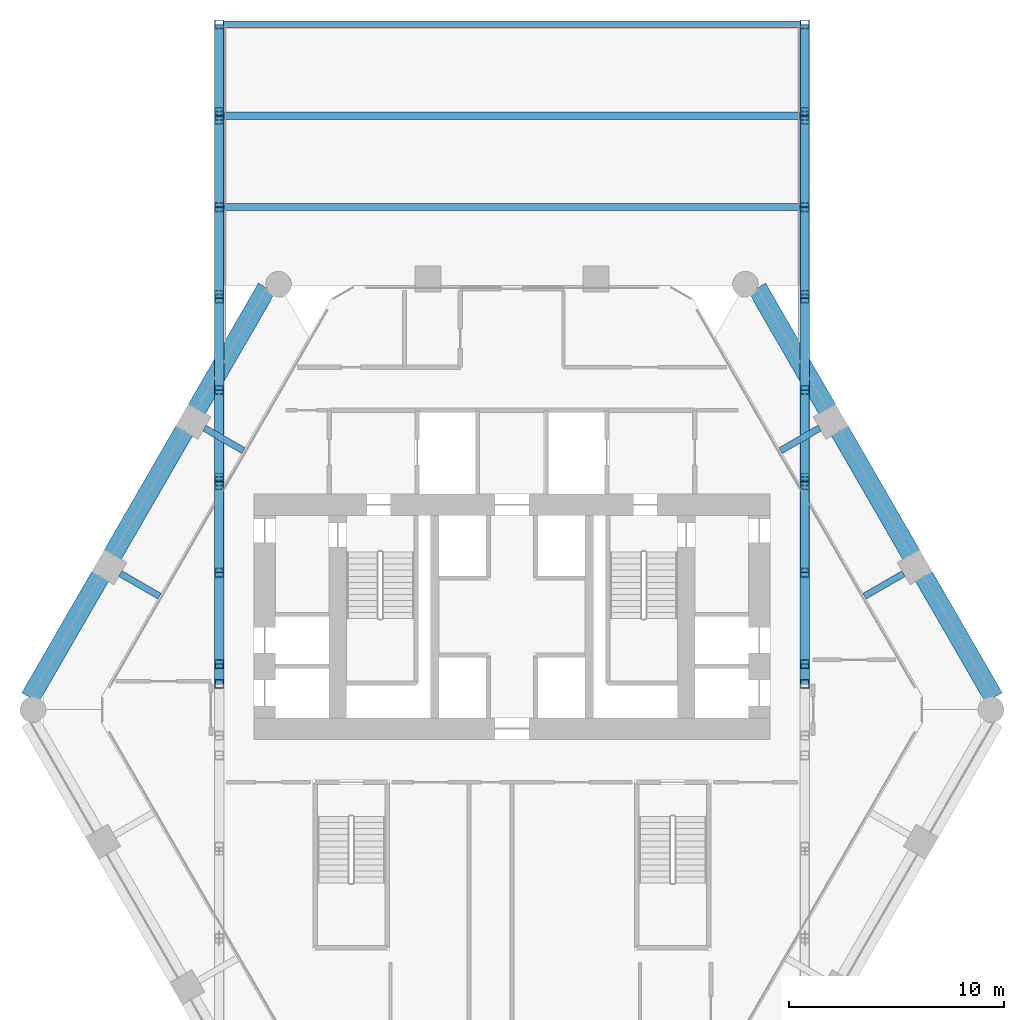
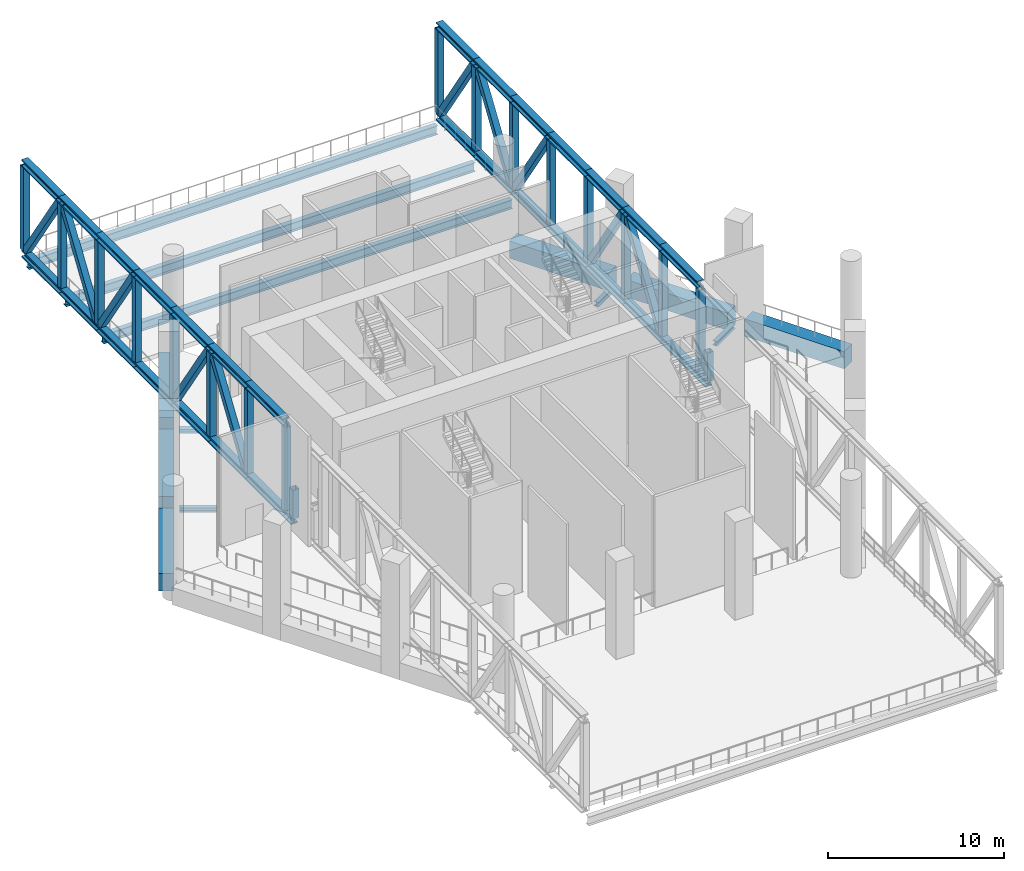
# One storey, part 3 of 16: 58 members, 13 beams.
"""IFC4 building model written with IfcOpenShell, lengths in metres."""

from ifc_helpers import new_model, si_unit, direction, frame, origin, origin_2d, place, context, subcontext, project, spatial, rectangle, hollow_rectangle, i_section, extrude, material, material_profile, profile_set, type_object, element, save


model = new_model("IFC4")

# Units and contexts
model_context = context("Model", 3, precision=1e-05, world=origin(), true_north=direction((0.0, 1.0)))
body_context = subcontext(model_context, "Body", "Model", "MODEL_VIEW")
ifc_project = project(units=[si_unit("LENGTHUNIT", "METRE"), si_unit("AREAUNIT", "SQUARE_METRE"), si_unit("VOLUMEUNIT", "CUBIC_METRE"), si_unit("PLANEANGLEUNIT", "RADIAN"), si_unit("MASSUNIT", "GRAM", prefix="KILO")], contexts=[model_context])

# Site, building, storey
site_placement = place(None, origin())
site = spatial("IfcSite", under=ifc_project, at=site_placement, CompositionType="ELEMENT")
building_placement = place(site_placement, origin())
building = spatial("IfcBuilding", under=site, at=building_placement, Name="Ostrander Bayou Hotel Tower", CompositionType="ELEMENT")
storey_placement = place(building_placement, frame((0.0, 0.0, 108.0)))
storey = spatial("IfcBuildingStorey", under=building, at=storey_placement, Name="L27", CompositionType="ELEMENT", Elevation=108.0)

# Beams
ifc_material_1 = material(Name="Steel ASTM A992", Category="steel")
ifc_material_profile_1 = material_profile(ifc_material_1, i_section(OverallWidth=0.3046875, OverallDepth=0.307861328125, WebThickness=0.010009765625, FlangeThickness=0.015380859375, at=origin_2d()))
ifc_profile_set_1 = profile_set([ifc_material_profile_1], Name="Steel ASTM A992")
beam_type_1 = type_object("IfcBeamType", Name="LB1 loggia bracket W12x65", PredefinedType="BEAM", material=ifc_profile_set_1)
for number, where, z_axis, x_axis, name in (
    (1, (-14.30419921875, 12.769775390625, -0.453857421875), (0.866009402589, -0.500027713859, 0.0), (0.500027713859, 0.866009402589, 0.0), "LB1 L27 NW1"),
    (2, (-18.2109375, 6.0029296875, -0.453857421875), (0.866009402589, -0.500027713859, 0.0), (0.500027713859, 0.866009402589, 0.0), "LB1 L27 NW2"),
    (3, (18.2109375, 6.0029296875, -0.453857421875), (-0.866009402589, -0.500027713859, 0.0), (0.500027713859, -0.866009402589, 0.0), "LB1 L27 NE1"),
    (4, (14.30419921875, 12.769775390625, -0.453857421875), (-0.866009402589, -0.500027713859, 0.0), (0.500027713859, -0.866009402589, 0.0), "LB1 L27 NE2"),
):
    element("IfcBeam", number, at=place(storey_placement, frame(where, z_axis=z_axis, x_axis=x_axis)), inside=storey, type_object=beam_type_1, Name=name, PredefinedType="BEAM", context=body_context, shape_type="SweptSolid", body=[
        extrude(i_section(OverallWidth=0.3046875, OverallDepth=0.307861328125, WebThickness=0.010009765625, FlangeThickness=0.015380859375, at=origin_2d()), origin(), (0.0, 0.0, 1.0), 2.10009765625),
    ])
ifc_material_2 = material(Name="Concrete f'c 70 MPa", Category="concrete")
ifc_material_profile_2 = material_profile(ifc_material_2, rectangle(XDim=0.89990234375, YDim=1.199951171875, at=origin_2d()))
ifc_profile_set_2 = profile_set([ifc_material_profile_2], Name="Concrete f'c 70 MPa")
beam_type_2 = type_object("IfcBeamType", Name="SP2 spandrel beam 900 x 1200 mm f'c 70 MPa", PredefinedType="SPANDREL", material=ifc_profile_set_2)
beam_1_placement = place(storey_placement, frame((-11.407958984375, 19.286376953125, -0.60009765625), z_axis=(-0.499971966783, -0.866041588165, 0.0), x_axis=(0.866041588165, -0.499971966783, 0.0)))
element("IfcBeam", 5, at=beam_1_placement, inside=storey, type_object=beam_type_2, Name="SP2 L27 NW-1", PredefinedType="SPANDREL", context=body_context, shape_type="SweptSolid", body=[
    extrude(rectangle(XDim=0.89990234375, YDim=1.199951171875, at=origin_2d()), origin(), (0.0, 0.0, 1.0), 6.521728515625),
])
beam_2_placement = place(storey_placement, frame((-15.23876953125, 12.65087890625, -0.60009765625), z_axis=(-0.499999023957, -0.866025967302, 0.0), x_axis=(0.866025967302, -0.499999023957, 0.0)))
element("IfcBeam", 6, at=beam_2_placement, inside=storey, type_object=beam_type_2, Name="SP2 L27 NW-2", PredefinedType="SPANDREL", context=body_context, shape_type="SweptSolid", body=[
    extrude(rectangle(XDim=0.89990234375, YDim=1.199951171875, at=origin_2d()), origin(), (0.0, 0.0, 1.0), 6.67333984375),
])
for number, where, z_axis, x_axis, name in (
    (7, (-19.1455078125, 5.884521484375, -0.60009765625), (-0.500000042739, -0.866025379109, 0.0), (0.866025379109, -0.500000042739, 0.0), "SP2 L27 NW-3"),
    (8, (22.406494140625, 0.236328125, -0.60009765625), (-0.500000042739, 0.866025379109, 0.0), (-0.866025379109, -0.500000042739, 0.0), "SP2 L27 NE-1"),
):
    element("IfcBeam", number, at=place(storey_placement, frame(where, z_axis=z_axis, x_axis=x_axis)), inside=storey, type_object=beam_type_2, Name=name, PredefinedType="SPANDREL", context=body_context, shape_type="SweptSolid", body=[
        extrude(rectangle(XDim=0.89990234375, YDim=1.199951171875, at=origin_2d()), origin(), (0.0, 0.0, 1.0), 6.52197265625),
    ])
beam_3_placement = place(storey_placement, frame((18.575439453125, 6.87158203125, -0.60009765625), z_axis=(-0.499999023957, 0.866025967302, 0.0), x_axis=(-0.866025967302, -0.499999023957, 0.0)))
element("IfcBeam", 9, at=beam_3_placement, inside=storey, type_object=beam_type_2, Name="SP2 L27 NE-2", PredefinedType="SPANDREL", context=body_context, shape_type="SweptSolid", body=[
    extrude(rectangle(XDim=0.89990234375, YDim=1.199951171875, at=origin_2d()), origin(), (0.0, 0.0, 1.0), 6.67333984375),
])
beam_4_placement = place(storey_placement, frame((14.668701171875, 13.63818359375, -0.60009765625), z_axis=(-0.499971966783, 0.866041588165, 0.0), x_axis=(-0.866041588165, -0.499971966783, 0.0)))
element("IfcBeam", 10, at=beam_4_placement, inside=storey, type_object=beam_type_2, Name="SP2 L27 NE-3", PredefinedType="SPANDREL", context=body_context, shape_type="SweptSolid", body=[
    extrude(rectangle(XDim=0.89990234375, YDim=1.199951171875, at=origin_2d()), origin(), (0.0, 0.0, 1.0), 6.521728515625),
])
ifc_material_3 = material(Name="Steel ASTM A992", Category="steel")
ifc_material_profile_3 = material_profile(ifc_material_3, i_section(OverallWidth=0.32763671875, OverallDepth=0.621826171875, WebThickness=0.015380859375, FlangeThickness=0.0244140625, at=origin_2d()))
ifc_profile_set_3 = profile_set([ifc_material_profile_3], Name="Steel ASTM A992")
beam_type_3 = type_object("IfcBeamType", Name="TF1 bar floor beam W24x131", PredefinedType="BEAM", material=ifc_profile_set_3)
for number, where, z_axis, x_axis, name in (
    (11, (-13.442138671875, 31.54541015625, -0.61083984375), (1.0, 0.0, 0.0), (0.0, 1.0, 0.0), "TF1 SB2W L5-1"),
    (12, (-13.442138671875, 27.295654296875, -0.61083984375), (1.0, 0.0, 0.0), (0.0, 1.0, 0.0), "TF1 SB2W L5-2"),
    (13, (-13.442138671875, 23.0458984375, -0.61083984375), (1.0, 0.0, 0.0), (0.0, 1.0, 0.0), "TF1 SB2W L5-3"),
):
    element("IfcBeam", number, at=place(storey_placement, frame(where, z_axis=z_axis, x_axis=x_axis)), inside=storey, type_object=beam_type_3, Name=name, PredefinedType="BEAM", context=body_context, shape_type="SweptSolid", body=[
        extrude(i_section(OverallWidth=0.32763671875, OverallDepth=0.621826171875, WebThickness=0.015380859375, FlangeThickness=0.0244140625, at=origin_2d()), origin(), (0.0, 0.0, 1.0), 26.88427734375),
    ])

# Members
ifc_material_4 = material(Name="Steel ASTM A992", Category="steel")
ifc_material_profile_4 = material_profile(ifc_material_4, i_section(OverallWidth=0.43212890625, OverallDepth=0.497802734375, WebThickness=0.0556640625, FlangeThickness=0.0888671875, at=origin_2d()))
ifc_profile_set_4 = profile_set([ifc_material_profile_4], Name="Steel ASTM A992")
member_type_1 = type_object("IfcMemberType", Name="TT1 through-truss chord W14x500", PredefinedType="CHORD", material=ifc_profile_set_4)
for number, where, z_axis, x_axis, name in (
    (14, (-13.6201171875, 31.54541015625, 0.248779296875), (0.0, -1.0, 0.0), (1.0, 0.0, 0.0), "TT1 SB2A B1"),
    (15, (-13.6201171875, 31.54541015625, 6.551025390625), (0.0, -1.0, 0.0), (1.0, 0.0, 0.0), "TT1 SB2A T1"),
    (16, (-13.6201171875, 27.295654296875, 0.248779296875), (0.0, -1.0, 0.0), (1.0, 0.0, 0.0), "TT1 SB2A B2"),
    (17, (-13.6201171875, 27.295654296875, 6.551025390625), (0.0, -1.0, 0.0), (1.0, 0.0, 0.0), "TT1 SB2A T2"),
):
    element("IfcMember", number, at=place(storey_placement, frame(where, z_axis=z_axis, x_axis=x_axis)), inside=storey, type_object=member_type_1, Name=name, PredefinedType="CHORD", context=body_context, shape_type="SweptSolid", body=[
        extrude(i_section(OverallWidth=0.43212890625, OverallDepth=0.497802734375, WebThickness=0.0556640625, FlangeThickness=0.0888671875, at=origin_2d()), origin(), (0.0, 0.0, 1.0), 4.249755859375),
    ])
for number, where, z_axis, x_axis, name in (
    (18, (-13.6201171875, 23.0458984375, 0.248779296875), (0.0, -1.0, 0.0), (1.0, 0.0, 0.0), "TT1 SB2A B3"),
    (19, (-13.6201171875, 23.0458984375, 6.551025390625), (0.0, -1.0, 0.0), (1.0, 0.0, 0.0), "TT1 SB2A T3"),
):
    element("IfcMember", number, at=place(storey_placement, frame(where, z_axis=z_axis, x_axis=x_axis)), inside=storey, type_object=member_type_1, Name=name, PredefinedType="CHORD", context=body_context, shape_type="SweptSolid", body=[
        extrude(i_section(OverallWidth=0.43212890625, OverallDepth=0.497802734375, WebThickness=0.0556640625, FlangeThickness=0.0888671875, at=origin_2d()), origin(), (0.0, 0.0, 1.0), 4.24951171875),
    ])
for number, where, z_axis, x_axis, name in (
    (20, (-13.6201171875, 18.79638671875, 0.248779296875), (0.0, -1.0, 0.0), (1.0, 0.0, 0.0), "TT1 SB2A B4"),
    (21, (-13.6201171875, 18.79638671875, 6.551025390625), (0.0, -1.0, 0.0), (1.0, 0.0, 0.0), "TT1 SB2A T4"),
    (22, (-13.6201171875, 14.546630859375, 0.248779296875), (0.0, -1.0, 0.0), (1.0, 0.0, 0.0), "TT1 SB2A B5"),
    (23, (-13.6201171875, 14.546630859375, 6.551025390625), (0.0, -1.0, 0.0), (1.0, 0.0, 0.0), "TT1 SB2A T5"),
    (24, (-13.6201171875, 10.296875, 0.248779296875), (0.0, -1.0, 0.0), (1.0, 0.0, 0.0), "TT1 SB2A B6"),
    (25, (-13.6201171875, 10.296875, 6.551025390625), (0.0, -1.0, 0.0), (1.0, 0.0, 0.0), "TT1 SB2A T6"),
):
    element("IfcMember", number, at=place(storey_placement, frame(where, z_axis=z_axis, x_axis=x_axis)), inside=storey, type_object=member_type_1, Name=name, PredefinedType="CHORD", context=body_context, shape_type="SweptSolid", body=[
        extrude(i_section(OverallWidth=0.43212890625, OverallDepth=0.497802734375, WebThickness=0.0556640625, FlangeThickness=0.0888671875, at=origin_2d()), origin(), (0.0, 0.0, 1.0), 4.249755859375),
    ])
for number, where, z_axis, x_axis, name in (
    (26, (-13.6201171875, 6.047119140625, 0.248779296875), (0.0, -1.0, 0.0), (1.0, 0.0, 0.0), "TT1 SB2A B7"),
    (27, (-13.6201171875, 6.047119140625, 6.551025390625), (0.0, -1.0, 0.0), (1.0, 0.0, 0.0), "TT1 SB2A T7"),
):
    element("IfcMember", number, at=place(storey_placement, frame(where, z_axis=z_axis, x_axis=x_axis)), inside=storey, type_object=member_type_1, Name=name, PredefinedType="CHORD", context=body_context, shape_type="SweptSolid", body=[
        extrude(i_section(OverallWidth=0.43212890625, OverallDepth=0.497802734375, WebThickness=0.0556640625, FlangeThickness=0.0888671875, at=origin_2d()), origin(), (0.0, 0.0, 1.0), 4.24951171875),
    ])
member_1_placement = place(storey_placement, frame((-13.6201171875, 1.797607421875, 0.248779296875), z_axis=(0.0, -1.0, 0.0), x_axis=(1.0, 0.0, 0.0)))
element("IfcMember", 28, at=member_1_placement, inside=storey, type_object=member_type_1, Name="TT1 SB2A B8", PredefinedType="CHORD", context=body_context, shape_type="SweptSolid", body=[
    extrude(i_section(OverallWidth=0.43212890625, OverallDepth=0.497802734375, WebThickness=0.0556640625, FlangeThickness=0.0888671875, at=origin_2d()), origin(), (0.0, 0.0, 1.0), 0.9248046875),
])
for number, where, z_axis, x_axis, name in (
    (29, (13.6201171875, 31.54541015625, 0.248779296875), (0.0, -1.0, 0.0), (1.0, 0.0, 0.0), "TT1 SB2B B1"),
    (30, (13.6201171875, 31.54541015625, 6.551025390625), (0.0, -1.0, 0.0), (1.0, 0.0, 0.0), "TT1 SB2B T1"),
    (31, (13.6201171875, 27.295654296875, 0.248779296875), (0.0, -1.0, 0.0), (1.0, 0.0, 0.0), "TT1 SB2B B2"),
    (32, (13.6201171875, 27.295654296875, 6.551025390625), (0.0, -1.0, 0.0), (1.0, 0.0, 0.0), "TT1 SB2B T2"),
):
    element("IfcMember", number, at=place(storey_placement, frame(where, z_axis=z_axis, x_axis=x_axis)), inside=storey, type_object=member_type_1, Name=name, PredefinedType="CHORD", context=body_context, shape_type="SweptSolid", body=[
        extrude(i_section(OverallWidth=0.43212890625, OverallDepth=0.497802734375, WebThickness=0.0556640625, FlangeThickness=0.0888671875, at=origin_2d()), origin(), (0.0, 0.0, 1.0), 4.249755859375),
    ])
for number, where, z_axis, x_axis, name in (
    (33, (13.6201171875, 23.0458984375, 0.248779296875), (0.0, -1.0, 0.0), (1.0, 0.0, 0.0), "TT1 SB2B B3"),
    (34, (13.6201171875, 23.0458984375, 6.551025390625), (0.0, -1.0, 0.0), (1.0, 0.0, 0.0), "TT1 SB2B T3"),
):
    element("IfcMember", number, at=place(storey_placement, frame(where, z_axis=z_axis, x_axis=x_axis)), inside=storey, type_object=member_type_1, Name=name, PredefinedType="CHORD", context=body_context, shape_type="SweptSolid", body=[
        extrude(i_section(OverallWidth=0.43212890625, OverallDepth=0.497802734375, WebThickness=0.0556640625, FlangeThickness=0.0888671875, at=origin_2d()), origin(), (0.0, 0.0, 1.0), 4.24951171875),
    ])
for number, where, z_axis, x_axis, name in (
    (35, (13.6201171875, 18.79638671875, 0.248779296875), (0.0, -1.0, 0.0), (1.0, 0.0, 0.0), "TT1 SB2B B4"),
    (36, (13.6201171875, 18.79638671875, 6.551025390625), (0.0, -1.0, 0.0), (1.0, 0.0, 0.0), "TT1 SB2B T4"),
    (37, (13.6201171875, 14.546630859375, 0.248779296875), (0.0, -1.0, 0.0), (1.0, 0.0, 0.0), "TT1 SB2B B5"),
    (38, (13.6201171875, 14.546630859375, 6.551025390625), (0.0, -1.0, 0.0), (1.0, 0.0, 0.0), "TT1 SB2B T5"),
    (39, (13.6201171875, 10.296875, 0.248779296875), (0.0, -1.0, 0.0), (1.0, 0.0, 0.0), "TT1 SB2B B6"),
    (40, (13.6201171875, 10.296875, 6.551025390625), (0.0, -1.0, 0.0), (1.0, 0.0, 0.0), "TT1 SB2B T6"),
):
    element("IfcMember", number, at=place(storey_placement, frame(where, z_axis=z_axis, x_axis=x_axis)), inside=storey, type_object=member_type_1, Name=name, PredefinedType="CHORD", context=body_context, shape_type="SweptSolid", body=[
        extrude(i_section(OverallWidth=0.43212890625, OverallDepth=0.497802734375, WebThickness=0.0556640625, FlangeThickness=0.0888671875, at=origin_2d()), origin(), (0.0, 0.0, 1.0), 4.249755859375),
    ])
for number, where, z_axis, x_axis, name in (
    (41, (13.6201171875, 6.047119140625, 0.248779296875), (0.0, -1.0, 0.0), (1.0, 0.0, 0.0), "TT1 SB2B B7"),
    (42, (13.6201171875, 6.047119140625, 6.551025390625), (0.0, -1.0, 0.0), (1.0, 0.0, 0.0), "TT1 SB2B T7"),
):
    element("IfcMember", number, at=place(storey_placement, frame(where, z_axis=z_axis, x_axis=x_axis)), inside=storey, type_object=member_type_1, Name=name, PredefinedType="CHORD", context=body_context, shape_type="SweptSolid", body=[
        extrude(i_section(OverallWidth=0.43212890625, OverallDepth=0.497802734375, WebThickness=0.0556640625, FlangeThickness=0.0888671875, at=origin_2d()), origin(), (0.0, 0.0, 1.0), 4.24951171875),
    ])
member_2_placement = place(storey_placement, frame((13.6201171875, 1.797607421875, 0.248779296875), z_axis=(0.0, -1.0, 0.0), x_axis=(1.0, 0.0, 0.0)))
element("IfcMember", 43, at=member_2_placement, inside=storey, type_object=member_type_1, Name="TT1 SB2B B8", PredefinedType="CHORD", context=body_context, shape_type="SweptSolid", body=[
    extrude(i_section(OverallWidth=0.43212890625, OverallDepth=0.497802734375, WebThickness=0.0556640625, FlangeThickness=0.0888671875, at=origin_2d()), origin(), (0.0, 0.0, 1.0), 0.9248046875),
])
ifc_material_5 = material(Name="Steel ASTM A572 Gr 50", Category="steel")
ifc_material_profile_5 = material_profile(ifc_material_5, hollow_rectangle(XDim=0.406494140625, YDim=0.406494140625, WallThickness=0.017822265625, at=origin_2d()))
ifc_profile_set_5 = profile_set([ifc_material_profile_5], Name="Steel ASTM A572 Gr 50")
member_type_2 = type_object("IfcMemberType", Name="TT3 through-truss diagonal box 16 x 16 x 3/4", PredefinedType="BRACE", material=ifc_profile_set_5)
member_3_placement = place(storey_placement, frame((-13.6201171875, 31.34228515625, 0.497802734375), z_axis=(0.0, -0.552099649482, 0.833778134183), x_axis=(1.0, 0.0, 0.0)))
element("IfcMember", 44, at=member_3_placement, inside=storey, type_object=member_type_2, Name="TT3 SB2A D1", PredefinedType="BRACE", context=body_context, shape_type="SweptSolid", body=[
    extrude(hollow_rectangle(XDim=0.406494140625, YDim=0.406494140625, WallThickness=0.017822265625, at=origin_2d()), origin(), (0.0, 0.0, 1.0), 6.961669921875),
])
for number, where, z_axis, x_axis, name in (
    (45, (-13.6201171875, 23.249267578125, 0.497802734375), (0.0, 0.552075268927, 0.833794277648), (-1.0, 0.0, 0.0), "TT3 SB2A D2"),
    (46, (-13.6201171875, 22.8427734375, 0.497802734375), (0.0, -0.552075268927, 0.833794277648), (1.0, 0.0, 0.0), "TT3 SB2A D3"),
):
    element("IfcMember", number, at=place(storey_placement, frame(where, z_axis=z_axis, x_axis=x_axis)), inside=storey, type_object=member_type_2, Name=name, PredefinedType="BRACE", context=body_context, shape_type="SweptSolid", body=[
        extrude(hollow_rectangle(XDim=0.406494140625, YDim=0.406494140625, WallThickness=0.017822265625, at=origin_2d()), origin(), (0.0, 0.0, 1.0), 6.96142578125),
    ])
member_4_placement = place(storey_placement, frame((-13.6201171875, 14.343505859375, 0.497802734375), z_axis=(0.0, -0.552099649482, 0.833778134183), x_axis=(1.0, 0.0, 0.0)))
element("IfcMember", 47, at=member_4_placement, inside=storey, type_object=member_type_2, Name="TT3 SB2A D5", PredefinedType="BRACE", context=body_context, shape_type="SweptSolid", body=[
    extrude(hollow_rectangle(XDim=0.406494140625, YDim=0.406494140625, WallThickness=0.017822265625, at=origin_2d()), origin(), (0.0, 0.0, 1.0), 6.961669921875),
])
member_5_placement = place(storey_placement, frame((-13.6201171875, 6.25048828125, 0.497802734375), z_axis=(0.0, 0.552075268927, 0.833794277648), x_axis=(-1.0, 0.0, 0.0)))
element("IfcMember", 48, at=member_5_placement, inside=storey, type_object=member_type_2, Name="TT3 SB2A D6", PredefinedType="BRACE", context=body_context, shape_type="SweptSolid", body=[
    extrude(hollow_rectangle(XDim=0.406494140625, YDim=0.406494140625, WallThickness=0.017822265625, at=origin_2d()), origin(), (0.0, 0.0, 1.0), 6.96142578125),
])
member_6_placement = place(storey_placement, frame((13.6201171875, 31.34228515625, 0.497802734375), z_axis=(0.0, -0.552099649482, 0.833778134183), x_axis=(1.0, 0.0, 0.0)))
element("IfcMember", 49, at=member_6_placement, inside=storey, type_object=member_type_2, Name="TT3 SB2B D1", PredefinedType="BRACE", context=body_context, shape_type="SweptSolid", body=[
    extrude(hollow_rectangle(XDim=0.406494140625, YDim=0.406494140625, WallThickness=0.017822265625, at=origin_2d()), origin(), (0.0, 0.0, 1.0), 6.961669921875),
])
for number, where, z_axis, x_axis, name in (
    (50, (13.6201171875, 23.249267578125, 0.497802734375), (0.0, 0.552075268927, 0.833794277648), (-1.0, 0.0, 0.0), "TT3 SB2B D2"),
    (51, (13.6201171875, 22.8427734375, 0.497802734375), (0.0, -0.552075268927, 0.833794277648), (1.0, 0.0, 0.0), "TT3 SB2B D3"),
):
    element("IfcMember", number, at=place(storey_placement, frame(where, z_axis=z_axis, x_axis=x_axis)), inside=storey, type_object=member_type_2, Name=name, PredefinedType="BRACE", context=body_context, shape_type="SweptSolid", body=[
        extrude(hollow_rectangle(XDim=0.406494140625, YDim=0.406494140625, WallThickness=0.017822265625, at=origin_2d()), origin(), (0.0, 0.0, 1.0), 6.96142578125),
    ])
member_7_placement = place(storey_placement, frame((13.6201171875, 14.343505859375, 0.497802734375), z_axis=(0.0, -0.552099649482, 0.833778134183), x_axis=(1.0, 0.0, 0.0)))
element("IfcMember", 52, at=member_7_placement, inside=storey, type_object=member_type_2, Name="TT3 SB2B D5", PredefinedType="BRACE", context=body_context, shape_type="SweptSolid", body=[
    extrude(hollow_rectangle(XDim=0.406494140625, YDim=0.406494140625, WallThickness=0.017822265625, at=origin_2d()), origin(), (0.0, 0.0, 1.0), 6.961669921875),
])
member_8_placement = place(storey_placement, frame((13.6201171875, 6.25048828125, 0.497802734375), z_axis=(0.0, 0.552075268927, 0.833794277648), x_axis=(-1.0, 0.0, 0.0)))
element("IfcMember", 53, at=member_8_placement, inside=storey, type_object=member_type_2, Name="TT3 SB2B D6", PredefinedType="BRACE", context=body_context, shape_type="SweptSolid", body=[
    extrude(hollow_rectangle(XDim=0.406494140625, YDim=0.406494140625, WallThickness=0.017822265625, at=origin_2d()), origin(), (0.0, 0.0, 1.0), 6.96142578125),
])
ifc_material_6 = material(Name="Steel ASTM A572 Gr 50", Category="steel")
ifc_material_profile_6 = material_profile(ifc_material_6, hollow_rectangle(XDim=0.406494140625, YDim=0.406494140625, WallThickness=0.017822265625, at=origin_2d()))
ifc_profile_set_6 = profile_set([ifc_material_profile_6], Name="Steel ASTM A572 Gr 50")
member_type_3 = type_object("IfcMemberType", Name="TT4 through-truss post box 16 x 16 x 3/4", PredefinedType="POST", material=ifc_profile_set_6)
for number, where, z_axis, x_axis, name in (
    (54, (-13.6201171875, 31.54541015625, 0.497802734375), (0.0, 0.0, 1.0), (1.0, 0.0, 0.0), "TT4 SB2A P1"),
    (55, (-13.6201171875, 27.295654296875, 0.497802734375), (0.0, 0.0, 1.0), (1.0, 0.0, 0.0), "TT4 SB2A P2"),
    (56, (-13.6201171875, 23.0458984375, 0.497802734375), (0.0, 0.0, 1.0), (1.0, 0.0, 0.0), "TT4 SB2A P3"),
    (57, (-13.6201171875, 18.79638671875, 0.497802734375), (0.0, 0.0, 1.0), (1.0, 0.0, 0.0), "TT4 SB2A P4"),
    (58, (-13.6201171875, 14.546630859375, 0.497802734375), (0.0, 0.0, 1.0), (1.0, 0.0, 0.0), "TT4 SB2A P5"),
    (59, (-13.6201171875, 10.296875, 0.497802734375), (0.0, 0.0, 1.0), (1.0, 0.0, 0.0), "TT4 SB2A P6"),
    (60, (-13.6201171875, 6.047119140625, 0.497802734375), (0.0, 0.0, 1.0), (1.0, 0.0, 0.0), "TT4 SB2A P7"),
    (61, (-13.6201171875, 1.797607421875, 0.497802734375), (0.0, 0.0, 1.0), (1.0, 0.0, 0.0), "TT4 SB2A P8"),
):
    element("IfcMember", number, at=place(storey_placement, frame(where, z_axis=z_axis, x_axis=x_axis)), inside=storey, type_object=member_type_3, Name=name, PredefinedType="POST", context=body_context, shape_type="SweptSolid", body=[
        extrude(hollow_rectangle(XDim=0.406494140625, YDim=0.406494140625, WallThickness=0.017822265625, at=origin_2d()), origin(), (0.0, 0.0, 1.0), 5.804443359375),
    ])
member_9_placement = place(storey_placement, frame((-13.6201171875, 0.872802734375, 0.497802734375), z_axis=(0.0, 0.0, 1.0), x_axis=(1.0, 0.0, 0.0)))
element("IfcMember", 62, at=member_9_placement, inside=storey, type_object=member_type_3, Name="TT4 SB2A KN8a", PredefinedType="POST", context=body_context, shape_type="SweptSolid", body=[
    extrude(hollow_rectangle(XDim=0.406494140625, YDim=0.406494140625, WallThickness=0.017822265625, at=origin_2d()), origin(), (0.0, 0.0, 1.0), 2.002197265625),
])
for number, where, z_axis, x_axis, name in (
    (63, (13.6201171875, 31.54541015625, 0.497802734375), (0.0, 0.0, 1.0), (1.0, 0.0, 0.0), "TT4 SB2B P1"),
    (64, (13.6201171875, 27.295654296875, 0.497802734375), (0.0, 0.0, 1.0), (1.0, 0.0, 0.0), "TT4 SB2B P2"),
    (65, (13.6201171875, 23.0458984375, 0.497802734375), (0.0, 0.0, 1.0), (1.0, 0.0, 0.0), "TT4 SB2B P3"),
    (66, (13.6201171875, 18.79638671875, 0.497802734375), (0.0, 0.0, 1.0), (1.0, 0.0, 0.0), "TT4 SB2B P4"),
    (67, (13.6201171875, 14.546630859375, 0.497802734375), (0.0, 0.0, 1.0), (1.0, 0.0, 0.0), "TT4 SB2B P5"),
    (68, (13.6201171875, 10.296875, 0.497802734375), (0.0, 0.0, 1.0), (1.0, 0.0, 0.0), "TT4 SB2B P6"),
    (69, (13.6201171875, 6.047119140625, 0.497802734375), (0.0, 0.0, 1.0), (1.0, 0.0, 0.0), "TT4 SB2B P7"),
    (70, (13.6201171875, 1.797607421875, 0.497802734375), (0.0, 0.0, 1.0), (1.0, 0.0, 0.0), "TT4 SB2B P8"),
):
    element("IfcMember", number, at=place(storey_placement, frame(where, z_axis=z_axis, x_axis=x_axis)), inside=storey, type_object=member_type_3, Name=name, PredefinedType="POST", context=body_context, shape_type="SweptSolid", body=[
        extrude(hollow_rectangle(XDim=0.406494140625, YDim=0.406494140625, WallThickness=0.017822265625, at=origin_2d()), origin(), (0.0, 0.0, 1.0), 5.804443359375),
    ])
member_10_placement = place(storey_placement, frame((13.6201171875, 0.872802734375, 0.497802734375), z_axis=(0.0, 0.0, 1.0), x_axis=(1.0, 0.0, 0.0)))
element("IfcMember", 71, at=member_10_placement, inside=storey, type_object=member_type_3, Name="TT4 SB2B KN8a", PredefinedType="POST", context=body_context, shape_type="SweptSolid", body=[
    extrude(hollow_rectangle(XDim=0.406494140625, YDim=0.406494140625, WallThickness=0.017822265625, at=origin_2d()), origin(), (0.0, 0.0, 1.0), 2.002197265625),
])

save(model, "model.ifc")
